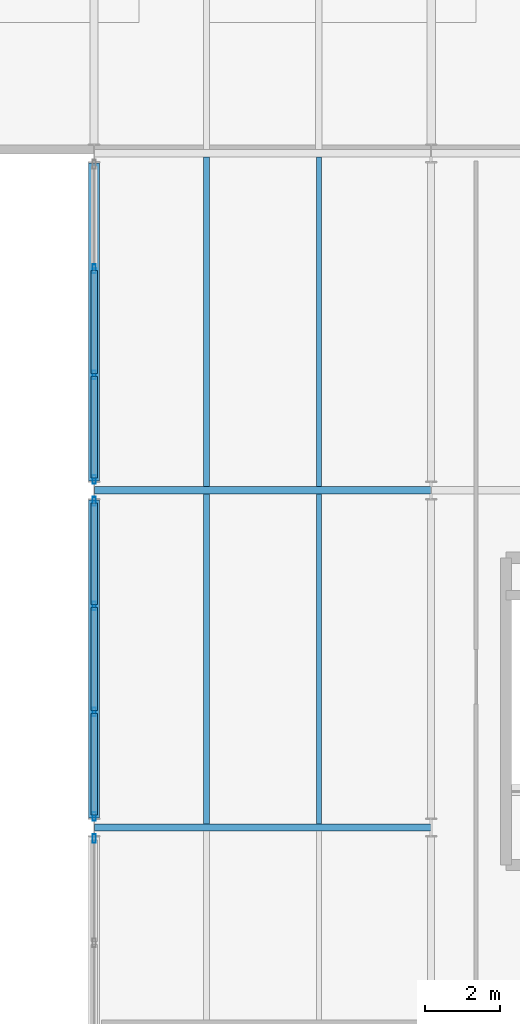
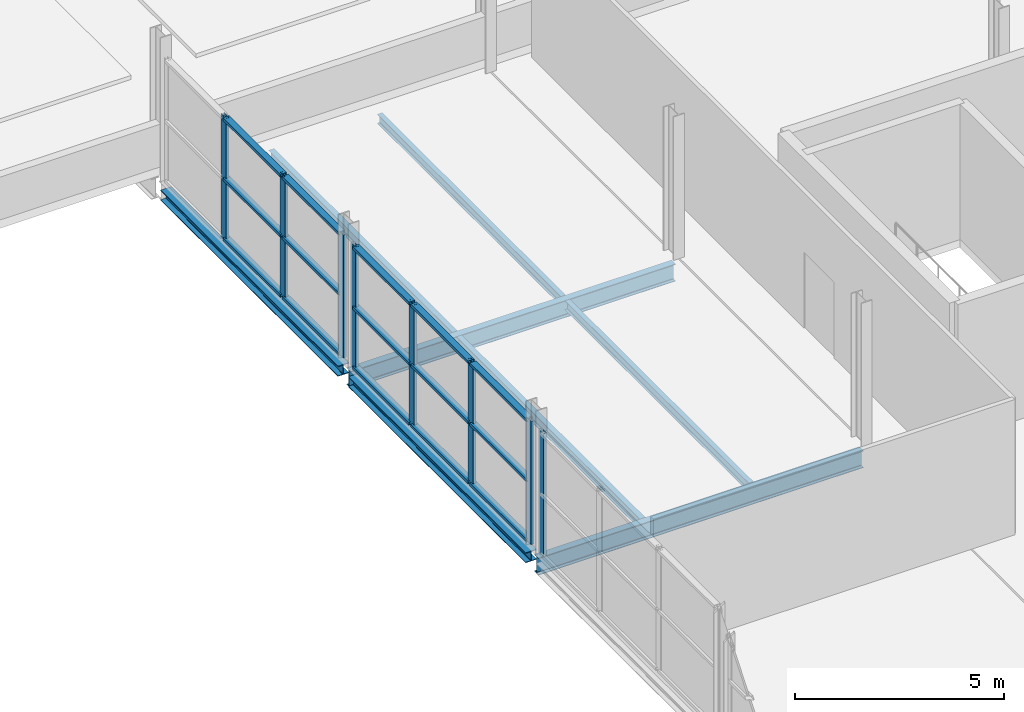
# One storey, part 19 of 59: 23 members, 8 beams, 3 elements without a shape of their own.
"""IFC4 building model written with IfcOpenShell, lengths in metres."""

from ifc_helpers import new_model, si_unit, direction, frame, origin, origin_2d, place, context, subcontext, project, spatial, hollow_rectangle, i_section, extrude, material, layer, layer_set, material_profile, profile_set, type_object, element, aggregate, save


model = new_model("IFC4")

# Units and contexts
model_context = context("Model", 3, precision=1e-05, world=origin(), true_north=direction((0.0, 1.0)))
body_context = subcontext(model_context, "Body", "Model", "MODEL_VIEW")
ifc_project = project(units=[si_unit("LENGTHUNIT", "METRE"), si_unit("AREAUNIT", "SQUARE_METRE"), si_unit("VOLUMEUNIT", "CUBIC_METRE"), si_unit("PLANEANGLEUNIT", "RADIAN"), si_unit("MASSUNIT", "GRAM", prefix="KILO")], contexts=[model_context])

# Site, building, storey
site_placement = place(None, origin())
site = spatial("IfcSite", under=ifc_project, at=site_placement, CompositionType="ELEMENT")
building_placement = place(site_placement, origin())
building = spatial("IfcBuilding", under=site, at=building_placement, Name="Deido Ridge Mobility Hub", CompositionType="ELEMENT")
storey_placement = place(building_placement, frame((0.0, 0.0, 21.0)))
storey = spatial("IfcBuildingStorey", under=building, at=storey_placement, Name="L05", CompositionType="ELEMENT", Elevation=21.0)

# Beams
ifc_material_1 = material(Name="Steel S355J2 EN 10025-2", Category="steel")
ifc_material_profile_1 = material_profile(ifc_material_1, i_section(OverallWidth=0.199951171875, OverallDepth=0.5, WebThickness=0.01025390625, FlangeThickness=0.01611328125, FilletRadius=0.02099609375, at=origin_2d()), Name="IPE 500")
ifc_profile_set_1 = profile_set([ifc_material_profile_1], Name="Steel S355J2 EN 10025-2")
beam_type_1 = type_object("IfcBeamType", Name="BM-IPE500", PredefinedType="BEAM", material=ifc_profile_set_1)
for number, where, z_axis, x_axis, name in (
    (1, (63.007080078125, 63.0, -0.4951171875), (1.0, 0.0, 0.0), (0.0, 1.0, 0.0), "Floor beam B3"),
    (2, (63.007080078125, 72.0, -0.4951171875), (1.0, 0.0, 0.0), (0.0, 1.0, 0.0), "Floor beam B3"),
):
    element("IfcBeam", number, at=place(storey_placement, frame(where, z_axis=z_axis, x_axis=x_axis)), inside=storey, type_object=beam_type_1, Name=name, PredefinedType="BEAM", context=body_context, shape_type="SweptSolid", body=[
        extrude(i_section(OverallWidth=0.199951171875, OverallDepth=0.5, WebThickness=0.01025390625, FlangeThickness=0.01611328125, FilletRadius=0.02099609375, at=origin_2d()), origin(), (0.0, 0.0, 1.0), 8.98583984375),
    ])
ifc_material_profile_2 = material_profile(ifc_material_1, i_section(OverallWidth=0.135009765625, OverallDepth=0.27001953125, WebThickness=0.006591796875, FlangeThickness=0.01025390625, FilletRadius=0.014892578125, at=origin_2d()), Name="IPE 270")
ifc_profile_set_2 = profile_set([ifc_material_profile_2], Name="Steel S355J2 EN 10025-2")
beam_type_2 = type_object("IfcBeamType", Name="JST-IPE270", PredefinedType="JOIST", material=ifc_profile_set_2)
for number, where, z_axis, x_axis, name in (
    (3, (69.0, 63.10009765625, -0.3798828125), (0.0, 1.0, 0.0), (-1.0, 0.0, 0.0), "Composite joist J4"),
    (4, (69.0, 72.10009765625, -0.3798828125), (0.0, 1.0, 0.0), (-1.0, 0.0, 0.0), "Composite joist J4"),
):
    element("IfcBeam", number, at=place(storey_placement, frame(where, z_axis=z_axis, x_axis=x_axis)), inside=storey, type_object=beam_type_2, Name=name, PredefinedType="JOIST", context=body_context, shape_type="SweptSolid", body=[
        extrude(i_section(OverallWidth=0.135009765625, OverallDepth=0.27001953125, WebThickness=0.006591796875, FlangeThickness=0.01025390625, FilletRadius=0.014892578125, at=origin_2d()), origin(), (0.0, 0.0, 1.0), 8.7998046875),
    ])
ifc_material_profile_3 = material_profile(ifc_material_1, i_section(OverallWidth=0.14990234375, OverallDepth=0.300048828125, WebThickness=0.007080078125, FlangeThickness=0.0107421875, FilletRadius=0.014892578125, at=origin_2d()), Name="IPE 300")
ifc_profile_set_3 = profile_set([ifc_material_profile_3], Name="Steel S355J2 EN 10025-2")
beam_type_3 = type_object("IfcBeamType", Name="JST-IPE300", PredefinedType="JOIST", material=ifc_profile_set_3)
for number, where, z_axis, x_axis, name in (
    (5, (66.0, 63.10009765625, -0.39501953125), (0.0, 1.0, 0.0), (-1.0, 0.0, 0.0), "Composite joist J3"),
    (6, (66.0, 72.10009765625, -0.39501953125), (0.0, 1.0, 0.0), (-1.0, 0.0, 0.0), "Composite joist J3"),
):
    element("IfcBeam", number, at=place(storey_placement, frame(where, z_axis=z_axis, x_axis=x_axis)), inside=storey, type_object=beam_type_3, Name=name, PredefinedType="JOIST", context=body_context, shape_type="SweptSolid", body=[
        extrude(i_section(OverallWidth=0.14990234375, OverallDepth=0.300048828125, WebThickness=0.007080078125, FlangeThickness=0.0107421875, FilletRadius=0.014892578125, at=origin_2d()), origin(), (0.0, 0.0, 1.0), 8.7998046875),
    ])

# Curtain wall, member
ifc_material_2 = material(Name="Anodised aluminium EN AW-6063 T6", Category="aluminium")
ifc_layer = layer(ifc_material_2, 0.156005859375, Name="Anodised aluminium EN AW-6063 T6")
ifc_layer_set = layer_set([ifc_layer], Name="Anodised aluminium EN AW-6063 T6")
curtain_wall_type = type_object("IfcCurtainWallType", Name="CW-GS-3", PredefinedType="USERDEFINED", material=ifc_layer_set)
curtain_wall_1_placement = place(storey_placement, origin())
curtain_wall_1 = element("IfcCurtainWall", 7, at=curtain_wall_1_placement, inside=storey, type_object=curtain_wall_type, Name="Unitised curtain wall GS3", ObjectType="GLAZED SCREEN", PredefinedType="USERDEFINED")
ifc_material_profile_4 = material_profile(ifc_material_2, hollow_rectangle(XDim=0.0849609375, YDim=0.235107421875, WallThickness=0.00390625, at=origin_2d()), Name="RHS 85x235x4")
ifc_profile_set_4 = profile_set([ifc_material_profile_4], Name="Anodised aluminium EN AW-6063 T6")
member_type_1 = type_object("IfcMemberType", Name="MEM-MUL-85X235", PredefinedType="MULLION", material=ifc_profile_set_4)
member_1_placement = place(storey_placement, frame((63.0, 62.70751953125, 0.0), z_axis=(0.0, 0.0, 1.0), x_axis=(-1.0, 0.0, 0.0)))
member_1 = element("IfcMember", 8, at=member_1_placement, type_object=member_type_1, Name="GS3 mullion 4", PredefinedType="MULLION", context=body_context, shape_type="SweptSolid", body=[
    extrude(hollow_rectangle(XDim=0.0849609375, YDim=0.235107421875, WallThickness=0.00390625, at=origin_2d()), origin(), (0.0, 0.0, 1.0), 3.60009765625),
])
aggregate(curtain_wall_1, [member_1])

# Curtain wall, members
curtain_wall_2_placement = place(storey_placement, origin())
curtain_wall_2 = element("IfcCurtainWall", 9, at=curtain_wall_2_placement, inside=storey, type_object=curtain_wall_type, Name="Unitised curtain wall GS3", ObjectType="GLAZED SCREEN", PredefinedType="USERDEFINED")
member_2_placement = place(storey_placement, frame((63.0, 63.29248046875, 0.0), z_axis=(0.0, 0.0, 1.0), x_axis=(-1.0, 0.0, 0.0)))
member_2 = element("IfcMember", 10, at=member_2_placement, type_object=member_type_1, Name="GS3 mullion 1", PredefinedType="MULLION", context=body_context, shape_type="SweptSolid", body=[
    extrude(hollow_rectangle(XDim=0.0849609375, YDim=0.235107421875, WallThickness=0.00390625, at=origin_2d()), origin(), (0.0, 0.0, 1.0), 3.60009765625),
])
member_3_placement = place(storey_placement, frame((63.0, 66.083251953125, 0.0), z_axis=(0.0, 0.0, 1.0), x_axis=(-1.0, 0.0, 0.0)))
member_3 = element("IfcMember", 11, at=member_3_placement, type_object=member_type_1, Name="GS3 mullion 2", PredefinedType="MULLION", context=body_context, shape_type="SweptSolid", body=[
    extrude(hollow_rectangle(XDim=0.0849609375, YDim=0.235107421875, WallThickness=0.00390625, at=origin_2d()), origin(), (0.0, 0.0, 1.0), 3.60009765625),
])
member_4_placement = place(storey_placement, frame((63.0, 68.916748046875, 0.0), z_axis=(0.0, 0.0, 1.0), x_axis=(-1.0, 0.0, 0.0)))
member_4 = element("IfcMember", 12, at=member_4_placement, type_object=member_type_1, Name="GS3 mullion 3", PredefinedType="MULLION", context=body_context, shape_type="SweptSolid", body=[
    extrude(hollow_rectangle(XDim=0.0849609375, YDim=0.235107421875, WallThickness=0.00390625, at=origin_2d()), origin(), (0.0, 0.0, 1.0), 3.60009765625),
])
member_5_placement = place(storey_placement, frame((63.0, 71.70751953125, 0.0), z_axis=(0.0, 0.0, 1.0), x_axis=(-1.0, 0.0, 0.0)))
member_5 = element("IfcMember", 13, at=member_5_placement, type_object=member_type_1, Name="GS3 mullion 4", PredefinedType="MULLION", context=body_context, shape_type="SweptSolid", body=[
    extrude(hollow_rectangle(XDim=0.0849609375, YDim=0.235107421875, WallThickness=0.00390625, at=origin_2d()), origin(), (0.0, 0.0, 1.0), 3.60009765625),
])

curtain_wall_3_placement = place(storey_placement, origin())
curtain_wall_3 = element("IfcCurtainWall", 14, at=curtain_wall_3_placement, inside=storey, type_object=curtain_wall_type, Name="Unitised curtain wall GS3", ObjectType="GLAZED SCREEN", PredefinedType="USERDEFINED")
member_6_placement = place(storey_placement, frame((63.0, 72.29248046875, 0.0), z_axis=(0.0, 0.0, 1.0), x_axis=(-1.0, 0.0, 0.0)))
member_6 = element("IfcMember", 15, at=member_6_placement, type_object=member_type_1, Name="GS3 mullion 1", PredefinedType="MULLION", context=body_context, shape_type="SweptSolid", body=[
    extrude(hollow_rectangle(XDim=0.0849609375, YDim=0.235107421875, WallThickness=0.00390625, at=origin_2d()), origin(), (0.0, 0.0, 1.0), 3.60009765625),
])
member_7_placement = place(storey_placement, frame((63.0, 75.083251953125, 0.0), z_axis=(0.0, 0.0, 1.0), x_axis=(-1.0, 0.0, 0.0)))
member_7 = element("IfcMember", 16, at=member_7_placement, type_object=member_type_1, Name="GS3 mullion 2", PredefinedType="MULLION", context=body_context, shape_type="SweptSolid", body=[
    extrude(hollow_rectangle(XDim=0.0849609375, YDim=0.235107421875, WallThickness=0.00390625, at=origin_2d()), origin(), (0.0, 0.0, 1.0), 3.60009765625),
])
member_8_placement = place(storey_placement, frame((63.0, 77.916748046875, 0.0), z_axis=(0.0, 0.0, 1.0), x_axis=(-1.0, 0.0, 0.0)))
member_8 = element("IfcMember", 17, at=member_8_placement, type_object=member_type_1, Name="GS3 mullion 3", PredefinedType="MULLION", context=body_context, shape_type="SweptSolid", body=[
    extrude(hollow_rectangle(XDim=0.0849609375, YDim=0.235107421875, WallThickness=0.00390625, at=origin_2d()), origin(), (0.0, 0.0, 1.0), 3.60009765625),
])

# Member
ifc_material_profile_5 = material_profile(ifc_material_2, hollow_rectangle(XDim=0.175048828125, YDim=0.0849609375, WallThickness=0.00390625, at=origin_2d()), Name="RHS 175x85x4")
ifc_profile_set_5 = profile_set([ifc_material_profile_5], Name="Anodised aluminium EN AW-6063 T6")
member_type_2 = type_object("IfcMemberType", Name="MEM-TRN-175X85", PredefinedType="USERDEFINED", material=ifc_profile_set_5)
member_9_placement = place(storey_placement, frame((63.0, 63.3349609375, 0.04248046875), z_axis=(0.0, 1.0, 0.0), x_axis=(-1.0, 0.0, 0.0)))
member_9 = element("IfcMember", 18, at=member_9_placement, type_object=member_type_2, Name="GS3 transom 1.1", ObjectType="TRANSOM", PredefinedType="USERDEFINED", context=body_context, shape_type="SweptSolid", body=[
    extrude(hollow_rectangle(XDim=0.175048828125, YDim=0.0849609375, WallThickness=0.00390625, at=origin_2d()), origin(), (0.0, 0.0, 1.0), 2.705810546875),
])

member_10_placement = place(storey_placement, frame((63.0, 63.3349609375, 1.800048828125), z_axis=(0.0, 1.0, 0.0), x_axis=(-1.0, 0.0, 0.0)))
member_10 = element("IfcMember", 19, at=member_10_placement, type_object=member_type_2, Name="GS3 transom 1.2", ObjectType="TRANSOM", PredefinedType="USERDEFINED", context=body_context, shape_type="SweptSolid", body=[
    extrude(hollow_rectangle(XDim=0.175048828125, YDim=0.0849609375, WallThickness=0.00390625, at=origin_2d()), origin(), (0.0, 0.0, 1.0), 2.705810546875),
])

member_11_placement = place(storey_placement, frame((63.0, 63.3349609375, 3.5576171875), z_axis=(0.0, 1.0, 0.0), x_axis=(-1.0, 0.0, 0.0)))
member_11 = element("IfcMember", 20, at=member_11_placement, type_object=member_type_2, Name="GS3 transom 1.3", ObjectType="TRANSOM", PredefinedType="USERDEFINED", context=body_context, shape_type="SweptSolid", body=[
    extrude(hollow_rectangle(XDim=0.175048828125, YDim=0.0849609375, WallThickness=0.00390625, at=origin_2d()), origin(), (0.0, 0.0, 1.0), 2.705810546875),
])

member_12_placement = place(storey_placement, frame((63.0, 66.125732421875, 0.04248046875), z_axis=(0.0, 1.0, 0.0), x_axis=(-1.0, 0.0, 0.0)))
member_12 = element("IfcMember", 21, at=member_12_placement, type_object=member_type_2, Name="GS3 transom 2.1", ObjectType="TRANSOM", PredefinedType="USERDEFINED", context=body_context, shape_type="SweptSolid", body=[
    extrude(hollow_rectangle(XDim=0.175048828125, YDim=0.0849609375, WallThickness=0.00390625, at=origin_2d()), origin(), (0.0, 0.0, 1.0), 2.74853515625),
])

member_13_placement = place(storey_placement, frame((63.0, 66.125732421875, 1.800048828125), z_axis=(0.0, 1.0, 0.0), x_axis=(-1.0, 0.0, 0.0)))
member_13 = element("IfcMember", 22, at=member_13_placement, type_object=member_type_2, Name="GS3 transom 2.2", ObjectType="TRANSOM", PredefinedType="USERDEFINED", context=body_context, shape_type="SweptSolid", body=[
    extrude(hollow_rectangle(XDim=0.175048828125, YDim=0.0849609375, WallThickness=0.00390625, at=origin_2d()), origin(), (0.0, 0.0, 1.0), 2.74853515625),
])

member_14_placement = place(storey_placement, frame((63.0, 66.125732421875, 3.5576171875), z_axis=(0.0, 1.0, 0.0), x_axis=(-1.0, 0.0, 0.0)))
member_14 = element("IfcMember", 23, at=member_14_placement, type_object=member_type_2, Name="GS3 transom 2.3", ObjectType="TRANSOM", PredefinedType="USERDEFINED", context=body_context, shape_type="SweptSolid", body=[
    extrude(hollow_rectangle(XDim=0.175048828125, YDim=0.0849609375, WallThickness=0.00390625, at=origin_2d()), origin(), (0.0, 0.0, 1.0), 2.74853515625),
])

member_15_placement = place(storey_placement, frame((63.0, 68.959228515625, 0.04248046875), z_axis=(0.0, 1.0, 0.0), x_axis=(-1.0, 0.0, 0.0)))
member_15 = element("IfcMember", 24, at=member_15_placement, type_object=member_type_2, Name="GS3 transom 3.1", ObjectType="TRANSOM", PredefinedType="USERDEFINED", context=body_context, shape_type="SweptSolid", body=[
    extrude(hollow_rectangle(XDim=0.175048828125, YDim=0.0849609375, WallThickness=0.00390625, at=origin_2d()), origin(), (0.0, 0.0, 1.0), 2.705810546875),
])

member_16_placement = place(storey_placement, frame((63.0, 68.959228515625, 1.800048828125), z_axis=(0.0, 1.0, 0.0), x_axis=(-1.0, 0.0, 0.0)))
member_16 = element("IfcMember", 25, at=member_16_placement, type_object=member_type_2, Name="GS3 transom 3.2", ObjectType="TRANSOM", PredefinedType="USERDEFINED", context=body_context, shape_type="SweptSolid", body=[
    extrude(hollow_rectangle(XDim=0.175048828125, YDim=0.0849609375, WallThickness=0.00390625, at=origin_2d()), origin(), (0.0, 0.0, 1.0), 2.705810546875),
])

member_17_placement = place(storey_placement, frame((63.0, 68.959228515625, 3.5576171875), z_axis=(0.0, 1.0, 0.0), x_axis=(-1.0, 0.0, 0.0)))
member_17 = element("IfcMember", 26, at=member_17_placement, type_object=member_type_2, Name="GS3 transom 3.3", ObjectType="TRANSOM", PredefinedType="USERDEFINED", context=body_context, shape_type="SweptSolid", body=[
    extrude(hollow_rectangle(XDim=0.175048828125, YDim=0.0849609375, WallThickness=0.00390625, at=origin_2d()), origin(), (0.0, 0.0, 1.0), 2.705810546875),
])

aggregate(curtain_wall_2, [member_2, member_3, member_4, member_5, member_9, member_10, member_11, member_12, member_13, member_14, member_15, member_16, member_17])

member_18_placement = place(storey_placement, frame((63.0, 72.3349609375, 0.04248046875), z_axis=(0.0, 1.0, 0.0), x_axis=(-1.0, 0.0, 0.0)))
member_18 = element("IfcMember", 27, at=member_18_placement, type_object=member_type_2, Name="GS3 transom 1.1", ObjectType="TRANSOM", PredefinedType="USERDEFINED", context=body_context, shape_type="SweptSolid", body=[
    extrude(hollow_rectangle(XDim=0.175048828125, YDim=0.0849609375, WallThickness=0.00390625, at=origin_2d()), origin(), (0.0, 0.0, 1.0), 2.705810546875),
])

member_19_placement = place(storey_placement, frame((63.0, 72.3349609375, 1.800048828125), z_axis=(0.0, 1.0, 0.0), x_axis=(-1.0, 0.0, 0.0)))
member_19 = element("IfcMember", 28, at=member_19_placement, type_object=member_type_2, Name="GS3 transom 1.2", ObjectType="TRANSOM", PredefinedType="USERDEFINED", context=body_context, shape_type="SweptSolid", body=[
    extrude(hollow_rectangle(XDim=0.175048828125, YDim=0.0849609375, WallThickness=0.00390625, at=origin_2d()), origin(), (0.0, 0.0, 1.0), 2.705810546875),
])

member_20_placement = place(storey_placement, frame((63.0, 72.3349609375, 3.5576171875), z_axis=(0.0, 1.0, 0.0), x_axis=(-1.0, 0.0, 0.0)))
member_20 = element("IfcMember", 29, at=member_20_placement, type_object=member_type_2, Name="GS3 transom 1.3", ObjectType="TRANSOM", PredefinedType="USERDEFINED", context=body_context, shape_type="SweptSolid", body=[
    extrude(hollow_rectangle(XDim=0.175048828125, YDim=0.0849609375, WallThickness=0.00390625, at=origin_2d()), origin(), (0.0, 0.0, 1.0), 2.705810546875),
])

member_21_placement = place(storey_placement, frame((63.0, 75.125732421875, 0.04248046875), z_axis=(0.0, 1.0, 0.0), x_axis=(-1.0, 0.0, 0.0)))
member_21 = element("IfcMember", 30, at=member_21_placement, type_object=member_type_2, Name="GS3 transom 2.1", ObjectType="TRANSOM", PredefinedType="USERDEFINED", context=body_context, shape_type="SweptSolid", body=[
    extrude(hollow_rectangle(XDim=0.175048828125, YDim=0.0849609375, WallThickness=0.00390625, at=origin_2d()), origin(), (0.0, 0.0, 1.0), 2.74853515625),
])

member_22_placement = place(storey_placement, frame((63.0, 75.125732421875, 1.800048828125), z_axis=(0.0, 1.0, 0.0), x_axis=(-1.0, 0.0, 0.0)))
member_22 = element("IfcMember", 31, at=member_22_placement, type_object=member_type_2, Name="GS3 transom 2.2", ObjectType="TRANSOM", PredefinedType="USERDEFINED", context=body_context, shape_type="SweptSolid", body=[
    extrude(hollow_rectangle(XDim=0.175048828125, YDim=0.0849609375, WallThickness=0.00390625, at=origin_2d()), origin(), (0.0, 0.0, 1.0), 2.74853515625),
])

member_23_placement = place(storey_placement, frame((63.0, 75.125732421875, 3.5576171875), z_axis=(0.0, 1.0, 0.0), x_axis=(-1.0, 0.0, 0.0)))
member_23 = element("IfcMember", 32, at=member_23_placement, type_object=member_type_2, Name="GS3 transom 2.3", ObjectType="TRANSOM", PredefinedType="USERDEFINED", context=body_context, shape_type="SweptSolid", body=[
    extrude(hollow_rectangle(XDim=0.175048828125, YDim=0.0849609375, WallThickness=0.00390625, at=origin_2d()), origin(), (0.0, 0.0, 1.0), 2.74853515625),
])

aggregate(curtain_wall_3, [member_6, member_7, member_8, member_18, member_19, member_20, member_21, member_22, member_23])

# Beams
ifc_material_profile_6 = material_profile(ifc_material_1, i_section(OverallWidth=0.300048828125, OverallDepth=0.300048828125, WebThickness=0.010986328125, FlangeThickness=0.01904296875, FilletRadius=0.027099609375, at=origin_2d()), Name="HEB 300")
ifc_profile_set_6 = profile_set([ifc_material_profile_6], Name="Steel S355J2 EN 10025-2")
beam_type_4 = type_object("IfcBeamType", Name="SPD-HEB300", PredefinedType="SPANDREL", material=ifc_profile_set_6)
for number, where, z_axis, x_axis, name in (
    (33, (63.0, 63.25, -0.39501953125), (0.0, 1.0, 0.0), (-1.0, 0.0, 0.0), "Floor beam SP1"),
    (34, (63.0, 72.25, -0.39501953125), (0.0, 1.0, 0.0), (-1.0, 0.0, 0.0), "Floor beam SP1"),
):
    element("IfcBeam", number, at=place(storey_placement, frame(where, z_axis=z_axis, x_axis=x_axis)), inside=storey, type_object=beam_type_4, Name=name, PredefinedType="SPANDREL", context=body_context, shape_type="SweptSolid", body=[
        extrude(i_section(OverallWidth=0.300048828125, OverallDepth=0.300048828125, WebThickness=0.010986328125, FlangeThickness=0.01904296875, FilletRadius=0.027099609375, at=origin_2d()), origin(), (0.0, 0.0, 1.0), 8.5),
    ])

save(model, "model.ifc")
